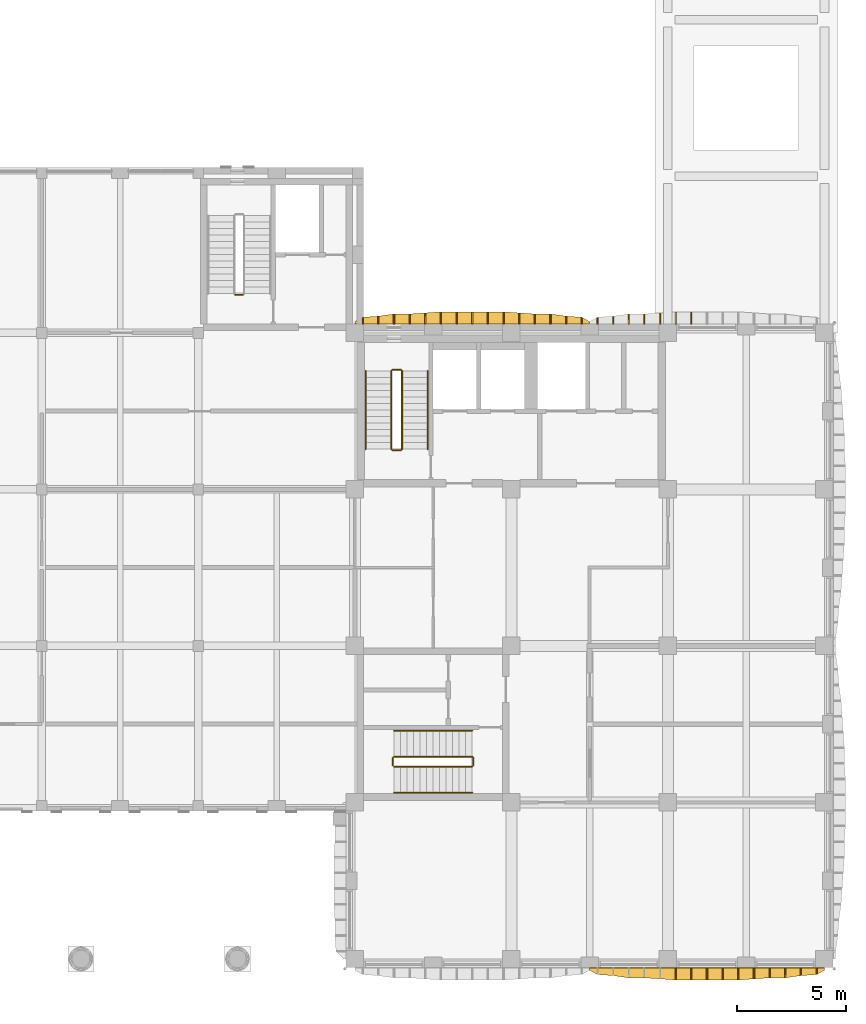
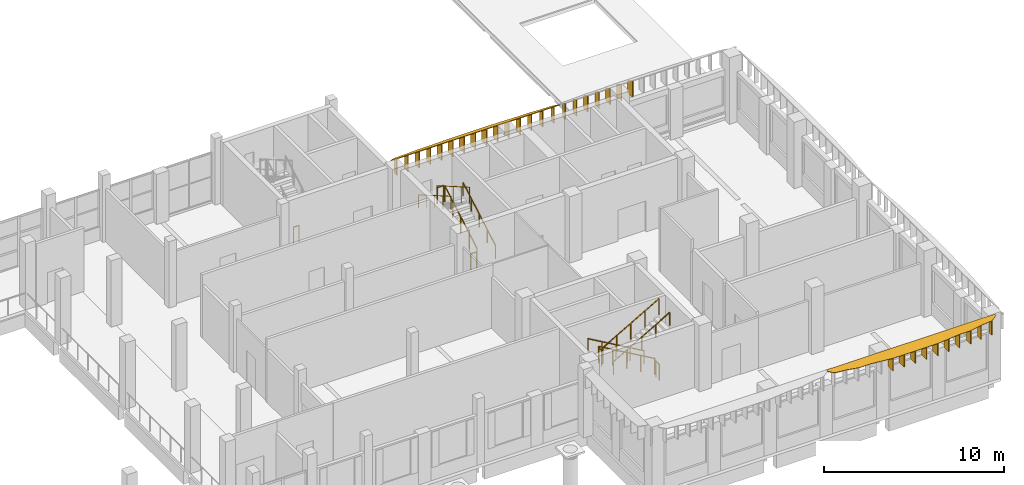
# One storey, part 40 of 59: 34 shading devices, 13 railings.
"""IFC4 building model written with IfcOpenShell, lengths in metres."""

from ifc_helpers import new_model, si_unit, direction, frame, origin, origin_2d, place, context, subcontext, project, spatial, polyline, circle, outline, extrude, material, layer, layer_set, type_object, element, save


model = new_model("IFC4")

# Units and contexts
model_context = context("Model", 3, precision=1e-05, world=origin(), true_north=direction((0.0, 1.0)))
body_context = subcontext(model_context, "Body", "Model", "MODEL_VIEW")
ifc_project = project(units=[si_unit("LENGTHUNIT", "METRE"), si_unit("AREAUNIT", "SQUARE_METRE"), si_unit("VOLUMEUNIT", "CUBIC_METRE"), si_unit("PLANEANGLEUNIT", "RADIAN"), si_unit("MASSUNIT", "GRAM", prefix="KILO")], contexts=[model_context])

# Site, building, storey
site_placement = place(None, origin())
site = spatial("IfcSite", under=ifc_project, at=site_placement, CompositionType="ELEMENT")
building_placement = place(site_placement, origin())
building = spatial("IfcBuilding", under=site, at=building_placement, Name="Ussher Court Research Institute", CompositionType="ELEMENT")
storey_placement = place(building_placement, frame((0.0, 0.0, 5.39990234375)))
storey = spatial("IfcBuildingStorey", under=building, at=storey_placement, Name="L01", CompositionType="ELEMENT", Elevation=5.39990234375)

# Shading devices
ifc_material_1 = material(Name="Bronze anodised aluminium", Category="aluminium")
ifc_layer_1 = layer(ifc_material_1, 0.050048828125)
ifc_layer_set_1 = layer_set([ifc_layer_1], Name="Bronze anodised aluminium")
shading_device_type_1 = type_object("IfcShadingDeviceType", Name="Brim blade 300 mm deep 1100 mm high canted 26 deg wet", PredefinedType="USERDEFINED", material=ifc_layer_set_1)
for number, where, z_axis, x_axis, name in (
    (1, (82.56005859375, 33.199951171875, 3.35009765625), (0.0, 0.0, 1.0), (0.0, 1.0, 0.0), "Brim blade BS06 L01"),
    (2, (92.639892578125, 33.199951171875, 3.35009765625), (0.0, 0.0, 1.0), (0.0, 1.0, 0.0), "Brim blade BS06 L01"),
    (3, (93.360107421875, 33.199951171875, 3.35009765625), (0.0, 0.0, 1.0), (0.0, 1.0, 0.0), "Brim blade BS06 L01"),
    (4, (103.43994140625, 3.60009765625, 3.35009765625), (0.0, 0.0, 1.0), (0.0, -1.0, 0.0), "Brim blade BS06 L01"),
):
    element("IfcShadingDevice", number, at=place(storey_placement, frame(where, z_axis=z_axis, x_axis=x_axis)), inside=storey, type_object=shading_device_type_1, Name=name, ObjectType="BLADE", PredefinedType="USERDEFINED", context=body_context, shape_type="SweptSolid", body=[
        extrude(outline(polyline([(0.0, 0.0), (0.300048828125, 0.0), (0.300048828125, 0.95361328125), (0.0, 1.10009765625), (0.0, 0.0)])), frame((0.0, 0.02490234375, 0.0), z_axis=(0.0, -1.0, 0.0), x_axis=(1.0, 0.0, 0.0)), (0.0, 0.0, 1.0), 0.050048828125),
    ])
ifc_material_2 = material(Name="Bronze anodised aluminium", Category="aluminium")
ifc_layer_2 = layer(ifc_material_2, 0.050048828125)
ifc_layer_set_2 = layer_set([ifc_layer_2], Name="Bronze anodised aluminium")
shading_device_type_2 = type_object("IfcShadingDeviceType", Name="Brim blade 350 mm deep 1100 mm high canted 26 deg wet", PredefinedType="USERDEFINED", material=ifc_layer_set_2)
for number, where, z_axis, x_axis, name in (
    (5, (83.280029296875, 33.199951171875, 3.35009765625), (0.0, 0.0, 1.0), (0.0, 1.0, 0.0), "Brim blade BS05 L01"),
    (6, (91.919921875, 33.199951171875, 3.35009765625), (0.0, 0.0, 1.0), (0.0, 1.0, 0.0), "Brim blade BS05 L01"),
    (7, (94.080078125, 33.199951171875, 3.35009765625), (0.0, 0.0, 1.0), (0.0, 1.0, 0.0), "Brim blade BS05 L01"),
    (8, (102.719970703125, 3.60009765625, 3.35009765625), (0.0, 0.0, 1.0), (0.0, -1.0, 0.0), "Brim blade BS05 L01"),
):
    element("IfcShadingDevice", number, at=place(storey_placement, frame(where, z_axis=z_axis, x_axis=x_axis)), inside=storey, type_object=shading_device_type_2, Name=name, ObjectType="BLADE", PredefinedType="USERDEFINED", context=body_context, shape_type="SweptSolid", body=[
        extrude(outline(polyline([(0.0, 0.0), (0.35009765625, 0.0), (0.35009765625, 0.92919921875), (0.0, 1.10009765625), (0.0, 0.0)])), frame((0.0, 0.02490234375, 0.0), z_axis=(0.0, -1.0, 0.0), x_axis=(1.0, 0.0, 0.0)), (0.0, 0.0, 1.0), 0.050048828125),
    ])
ifc_material_3 = material(Name="Bronze anodised aluminium", Category="aluminium")
ifc_layer_3 = layer(ifc_material_3, 0.050048828125)
ifc_layer_set_3 = layer_set([ifc_layer_3], Name="Bronze anodised aluminium")
shading_device_type_3 = type_object("IfcShadingDeviceType", Name="Brim blade 450 mm deep 1100 mm high canted 26 deg wet", PredefinedType="USERDEFINED", material=ifc_layer_set_3)
for number, where, z_axis, x_axis, name in (
    (9, (84.0, 33.199951171875, 3.35009765625), (0.0, 0.0, 1.0), (0.0, 1.0, 0.0), "Brim blade BS03 L01"),
    (10, (84.719970703125, 33.199951171875, 3.35009765625), (0.0, 0.0, 1.0), (0.0, 1.0, 0.0), "Brim blade BS03 L01"),
    (11, (90.47998046875, 33.199951171875, 3.35009765625), (0.0, 0.0, 1.0), (0.0, 1.0, 0.0), "Brim blade BS03 L01"),
    (12, (91.199951171875, 33.199951171875, 3.35009765625), (0.0, 0.0, 1.0), (0.0, 1.0, 0.0), "Brim blade BS03 L01"),
    (13, (94.800048828125, 33.199951171875, 3.35009765625), (0.0, 0.0, 1.0), (0.0, 1.0, 0.0), "Brim blade BS03 L01"),
    (14, (95.52001953125, 33.199951171875, 3.35009765625), (0.0, 0.0, 1.0), (0.0, 1.0, 0.0), "Brim blade BS03 L01"),
):
    element("IfcShadingDevice", number, at=place(storey_placement, frame(where, z_axis=z_axis, x_axis=x_axis)), inside=storey, type_object=shading_device_type_3, Name=name, ObjectType="BLADE", PredefinedType="USERDEFINED", context=body_context, shape_type="SweptSolid", body=[
        extrude(outline(polyline([(0.0, 0.0), (0.449951171875, 0.0), (0.449951171875, 0.880615234375), (0.0, 1.10009765625), (0.0, 0.0)])), frame((0.0, 0.02490234375, 0.0), z_axis=(0.0, -1.0, 0.0), x_axis=(1.0, 0.0, 0.0)), (0.0, 0.0, 1.0), 0.050048828125),
    ])
for number, where, z_axis, x_axis, name in (
    (15, (102.0, 3.60009765625, 3.35009765625), (0.0, 0.0, 1.0), (0.0, -1.0, 0.0), "Brim blade BS03 L01"),
    (16, (101.280029296875, 3.60009765625, 3.35009765625), (0.0, 0.0, 1.0), (0.0, -1.0, 0.0), "Brim blade BS03 L01"),
):
    element("IfcShadingDevice", number, at=place(storey_placement, frame(where, z_axis=z_axis, x_axis=x_axis)), inside=storey, type_object=shading_device_type_3, Name=name, ObjectType="BLADE", PredefinedType="USERDEFINED", context=body_context, shape_type="SweptSolid", body=[
        extrude(outline(polyline([(0.0, 0.0), (0.4501953125, 0.0), (0.449951171875, 0.880615234375), (0.0, 1.10009765625), (0.0, 0.0)])), frame((0.0, 0.02490234375, 0.0), z_axis=(0.0, -1.0, 0.0), x_axis=(1.0, 0.0, 0.0)), (0.0, 0.0, 1.0), 0.050048828125),
    ])
ifc_material_4 = material(Name="Bronze anodised aluminium", Category="aluminium")
ifc_layer_4 = layer(ifc_material_4, 0.050048828125)
ifc_layer_set_4 = layer_set([ifc_layer_4], Name="Bronze anodised aluminium")
shading_device_type_4 = type_object("IfcShadingDeviceType", Name="Brim blade 500 mm deep 1100 mm high canted 26 deg wet", PredefinedType="USERDEFINED", material=ifc_layer_set_4)
for number, where, z_axis, x_axis, name in (
    (17, (85.43994140625, 33.199951171875, 3.35009765625), (0.0, 0.0, 1.0), (0.0, 1.0, 0.0), "Brim blade BS02 L01"),
    (18, (89.760009765625, 33.199951171875, 3.35009765625), (0.0, 0.0, 1.0), (0.0, 1.0, 0.0), "Brim blade BS02 L01"),
    (19, (96.239990234375, 33.199951171875, 3.35009765625), (0.0, 0.0, 1.0), (0.0, 1.0, 0.0), "Brim blade BS02 L01"),
    (20, (100.56005859375, 3.60009765625, 3.35009765625), (0.0, 0.0, 1.0), (0.0, -1.0, 0.0), "Brim blade BS02 L01"),
):
    element("IfcShadingDevice", number, at=place(storey_placement, frame(where, z_axis=z_axis, x_axis=x_axis)), inside=storey, type_object=shading_device_type_4, Name=name, ObjectType="BLADE", PredefinedType="USERDEFINED", context=body_context, shape_type="SweptSolid", body=[
        extrude(outline(polyline([(0.0, 0.0), (0.5, 0.0), (0.5, 0.856201171875), (0.0, 1.10009765625), (0.0, 0.0)])), frame((0.0, 0.02490234375, 0.0), z_axis=(0.0, -1.0, 0.0), x_axis=(1.0, 0.0, 0.0)), (0.0, 0.0, 1.0), 0.050048828125),
    ])
ifc_material_5 = material(Name="Bronze anodised aluminium", Category="aluminium")
ifc_layer_5 = layer(ifc_material_5, 0.050048828125)
ifc_layer_set_5 = layer_set([ifc_layer_5], Name="Bronze anodised aluminium")
shading_device_type_5 = type_object("IfcShadingDeviceType", Name="Brim blade 550 mm deep 1100 mm high canted 26 deg wet", PredefinedType="USERDEFINED", material=ifc_layer_set_5)
for number, where, z_axis, x_axis, name in (
    (21, (86.159912109375, 33.199951171875, 3.35009765625), (0.0, 0.0, 1.0), (0.0, 1.0, 0.0), "Brim blade BS01 L01"),
    (22, (86.8798828125, 33.199951171875, 3.35009765625), (0.0, 0.0, 1.0), (0.0, 1.0, 0.0), "Brim blade BS01 L01"),
    (23, (87.60009765625, 33.199951171875, 3.35009765625), (0.0, 0.0, 1.0), (0.0, 1.0, 0.0), "Brim blade BS01 L01"),
    (24, (88.320068359375, 33.199951171875, 3.35009765625), (0.0, 0.0, 1.0), (0.0, 1.0, 0.0), "Brim blade BS01 L01"),
    (25, (89.0400390625, 33.199951171875, 3.35009765625), (0.0, 0.0, 1.0), (0.0, 1.0, 0.0), "Brim blade BS01 L01"),
    (26, (96.9599609375, 33.199951171875, 3.35009765625), (0.0, 0.0, 1.0), (0.0, 1.0, 0.0), "Brim blade BS01 L01"),
    (27, (97.679931640625, 33.199951171875, 3.35009765625), (0.0, 0.0, 1.0), (0.0, 1.0, 0.0), "Brim blade BS01 L01"),
    (28, (99.840087890625, 3.60009765625, 3.35009765625), (0.0, 0.0, 1.0), (0.0, -1.0, 0.0), "Brim blade BS01 L01"),
    (29, (99.1201171875, 3.60009765625, 3.35009765625), (0.0, 0.0, 1.0), (0.0, -1.0, 0.0), "Brim blade BS01 L01"),
    (30, (98.39990234375, 3.60009765625, 3.35009765625), (0.0, 0.0, 1.0), (0.0, -1.0, 0.0), "Brim blade BS01 L01"),
    (31, (97.679931640625, 3.60009765625, 3.35009765625), (0.0, 0.0, 1.0), (0.0, -1.0, 0.0), "Brim blade BS01 L01"),
    (32, (96.9599609375, 3.60009765625, 3.35009765625), (0.0, 0.0, 1.0), (0.0, -1.0, 0.0), "Brim blade BS01 L01"),
):
    element("IfcShadingDevice", number, at=place(storey_placement, frame(where, z_axis=z_axis, x_axis=x_axis)), inside=storey, type_object=shading_device_type_5, Name=name, ObjectType="BLADE", PredefinedType="USERDEFINED", context=body_context, shape_type="SweptSolid", body=[
        extrude(outline(polyline([(0.0, 0.0), (0.550048828125, 0.0), (0.550048828125, 0.831787109375), (0.0, 1.10009765625), (0.0, 0.0)])), frame((0.0, 0.02490234375, 0.0), z_axis=(0.0, -1.0, 0.0), x_axis=(1.0, 0.0, 0.0)), (0.0, 0.0, 1.0), 0.050048828125),
    ])
ifc_material_6 = material(Name="Bronze anodised aluminium", Category="aluminium")
ifc_layer_6 = layer(ifc_material_6, 0.0400390625)
ifc_layer_set_6 = layer_set([ifc_layer_6], Name="Bronze anodised aluminium")
shading_device_type_6 = type_object("IfcShadingDeviceType", Name="Brim visor sheet 40 mm canted 26 deg wet", PredefinedType="USERDEFINED", material=ifc_layer_set_6)
shading_device_1_placement = place(storey_placement, frame((82.199951171875, 33.217529296875, 4.486083984375), z_axis=(0.0, 0.438493442835, 0.898734388232), x_axis=(1.0, 0.0, 0.0)))
element("IfcShadingDevice", 33, at=shading_device_1_placement, inside=storey, type_object=shading_device_type_6, Name="Brim visor sheet BR1 L01", ObjectType="BRIM", PredefinedType="USERDEFINED", context=body_context, shape_type="SweptSolid", body=[
    extrude(outline(polyline([(0.0, 0.0), (10.800048828125, 0.0), (10.800048828125, 0.11115260091647443), (10.43994140625, 0.3338966378999272), (9.719970703125, 0.3893632295705384), (9.0, 0.5006281939990725), (8.280029296875, 0.5006281939990725), (7.56005859375, 0.5563142032449357), (6.840087890625, 0.612000212490799), (6.1201171875, 0.612000212490799), (5.400146484375, 0.612000212490799), (4.679931640625, 0.612000212490799), (3.9599609375, 0.612000212490799), (3.239990234375, 0.5563142032449357), (2.52001953125, 0.5006281939990725), (1.800048828125, 0.5006281939990725), (1.080078125, 0.3893632295705384), (0.360107421875, 0.3338966378999272), (0.0, 0.11115260091647443), (0.0, 0.0)])), origin(), (0.0, 0.0, -1.0), 0.0400390625),
])
shading_device_2_placement = place(storey_placement, frame((103.800048828125, 3.58251953125, 4.486083984375), z_axis=(0.0, -0.438461416816, 0.898750013054), x_axis=(-1.0, 0.0, 0.0)))
element("IfcShadingDevice", 34, at=shading_device_2_placement, inside=storey, type_object=shading_device_type_6, Name="Brim visor sheet BR1 L01", ObjectType="BRIM", PredefinedType="USERDEFINED", context=body_context, shape_type="SweptSolid", body=[
    extrude(outline(polyline([(0.0, 0.0), (10.800048828125, 0.0), (10.800048828125, 0.1113720187292832), (10.43994140625, 0.33389663479794396), (9.719970703125, 0.38958264416258553), (9.0, 0.5006281952576233), (8.280029296875, 0.5006281952576233), (7.56005859375, 0.5563142046222649), (6.840087890625, 0.6120002139869065), (6.1201171875, 0.6120002139869065), (5.400146484375, 0.6120002139869065), (4.679931640625, 0.6120002139869065), (3.9599609375, 0.6120002139869065), (3.239990234375, 0.5563142046222649), (2.52001953125, 0.5006281952576233), (1.800048828125, 0.5006281952576233), (1.080078125, 0.38958264416258553), (0.360107421875, 0.33389663479794396), (0.0, 0.1113720187292832), (0.0, 0.0)])), origin(), (0.0, 0.0, -1.0), 0.0400390625),
])

# Railings
ifc_material_7 = material(Name="Painted steel balustrade", Category="steel")
railing_type_1 = type_object("IfcRailingType", Name="Stair guard 1100 steel balustrade", PredefinedType="GUARDRAIL", material=ifc_material_7)
railing_1_placement = place(storey_placement, frame((77.050048828125, 34.550048828125, 0.0)))
element("IfcRailing", 35, at=railing_1_placement, inside=storey, type_object=railing_type_1, Name="L01 E1 stair guard 4", PredefinedType="GUARDRAIL", context=body_context, shape_type="SweptSolid", body=[
    extrude(circle(Radius=0.02392578125, at=origin_2d()), frame((0.0, 0.0, 1.076171875), z_axis=(-1.0, 0.0, 0.0), x_axis=(0.0, -1.0, 0.0)), (0.0, 0.0, 1.0), 0.35009765625),
    extrude(circle(Radius=0.02099609375, at=origin_2d()), origin(), (0.0, 0.0, 1.0), 1.052001953125),
    extrude(circle(Radius=0.02099609375, at=origin_2d()), frame((-0.35009765625, 0.0, 0.0)), (0.0, 0.0, 1.0), 1.052001953125),
])
railing_2_placement = place(storey_placement, frame((84.3701171875, 27.449951171875, 0.173095703125)))
element("IfcRailing", 36, at=railing_2_placement, inside=storey, type_object=railing_type_1, Name="L01 T1 stair guard 1", PredefinedType="GUARDRAIL", context=body_context, shape_type="SweptSolid", body=[
    extrude(circle(Radius=0.02392578125, at=origin_2d()), frame((0.0, 0.0, 1.076171875), z_axis=(0.0, 0.866193409371, 0.499708892819), x_axis=(-1.0, 0.0, 0.0)), (0.0, 0.0, 1.0), 4.15625),
    extrude(circle(Radius=0.02099609375, at=origin_2d()), origin(), (0.0, 0.0, 1.0), 1.052001953125),
    extrude(circle(Radius=0.02099609375, at=origin_2d()), frame((0.0, 0.89990234375, 0.519287109375)), (0.0, 0.0, 1.0), 1.052001953125),
    extrude(circle(Radius=0.02099609375, at=origin_2d()), frame((0.0, 1.800048828125, 1.03857421875)), (0.0, 0.0, 1.0), 1.052001953125),
    extrude(circle(Radius=0.02099609375, at=origin_2d()), frame((0.0, 2.7001953125, 1.5576171875)), (0.0, 0.0, 1.0), 1.052001953125),
    extrude(circle(Radius=0.02099609375, at=origin_2d()), frame((0.0, 3.60009765625, 2.076904296875)), (0.0, 0.0, 1.0), 1.052001953125),
])
railing_3_placement = place(storey_placement, frame((84.320068359375, 31.10009765625, 2.25)))
element("IfcRailing", 37, at=railing_3_placement, inside=storey, type_object=railing_type_1, Name="L01 T1 stair guard 2", PredefinedType="GUARDRAIL", context=body_context, shape_type="SweptSolid", body=[
    extrude(circle(Radius=0.02392578125, at=origin_2d()), frame((0.0, 0.0, 1.076171875), z_axis=(-1.0, 0.0, 0.0), x_axis=(0.0, -1.0, 0.0)), (0.0, 0.0, 1.0), 0.39013671875),
    extrude(circle(Radius=0.02099609375, at=origin_2d()), origin(), (0.0, 0.0, 1.0), 1.052001953125),
    extrude(circle(Radius=0.02099609375, at=origin_2d()), frame((-0.39013671875, 0.0, 0.0)), (0.0, 0.0, 1.0), 1.052001953125),
])
railing_4_placement = place(storey_placement, frame((83.8798828125, 31.050048828125, 2.423095703125)))
element("IfcRailing", 38, at=railing_4_placement, inside=storey, type_object=railing_type_1, Name="L01 T1 stair guard 3", PredefinedType="GUARDRAIL", context=body_context, shape_type="SweptSolid", body=[
    extrude(circle(Radius=0.02392578125, at=origin_2d()), frame((0.0, 0.0, 1.076171875), z_axis=(0.0, -0.866193409371, 0.499708892819), x_axis=(1.0, 0.0, 0.0)), (0.0, 0.0, 1.0), 4.15625),
    extrude(circle(Radius=0.02099609375, at=origin_2d()), origin(), (0.0, 0.0, 1.0), 1.052001953125),
    extrude(circle(Radius=0.02099609375, at=origin_2d()), frame((0.0, -0.89990234375, 0.519287109375)), (0.0, 0.0, 1.0), 1.052001953125),
    extrude(circle(Radius=0.02099609375, at=origin_2d()), frame((0.0, -1.800048828125, 1.03857421875)), (0.0, 0.0, 1.0), 1.052001953125),
    extrude(circle(Radius=0.02099609375, at=origin_2d()), frame((0.0, -2.7001953125, 1.5576171875)), (0.0, 0.0, 1.0), 1.052001953125),
    extrude(circle(Radius=0.02099609375, at=origin_2d()), frame((0.0, -3.60009765625, 2.076904296875)), (0.0, 0.0, 1.0), 1.052001953125),
])
railing_5_placement = place(storey_placement, frame((84.320068359375, 27.39990234375, 0.0)))
element("IfcRailing", 39, at=railing_5_placement, inside=storey, type_object=railing_type_1, Name="L01 T1 stair guard 4", PredefinedType="GUARDRAIL", context=body_context, shape_type="SweptSolid", body=[
    extrude(circle(Radius=0.02392578125, at=origin_2d()), frame((0.0, 0.0, 1.076171875), z_axis=(-1.0, 0.0, 0.0), x_axis=(0.0, -1.0, 0.0)), (0.0, 0.0, 1.0), 0.39013671875),
    extrude(circle(Radius=0.02099609375, at=origin_2d()), origin(), (0.0, 0.0, 1.0), 1.052001953125),
    extrude(circle(Radius=0.02099609375, at=origin_2d()), frame((-0.39013671875, 0.0, 0.0)), (0.0, 0.0, 1.0), 1.052001953125),
])
railing_6_placement = place(storey_placement, frame((87.60009765625, 13.300048828125, 0.173095703125)))
element("IfcRailing", 40, at=railing_6_placement, inside=storey, type_object=railing_type_1, Name="L01 T2 stair guard 1", PredefinedType="GUARDRAIL", context=body_context, shape_type="SweptSolid", body=[
    extrude(circle(Radius=0.02392578125, at=origin_2d()), frame((0.0, 0.0, 1.076171875), z_axis=(-0.866193409371, 0.0, 0.499708892819), x_axis=(0.0, -1.0, 0.0)), (0.0, 0.0, 1.0), 4.15625),
    extrude(circle(Radius=0.02099609375, at=origin_2d()), origin(), (0.0, 0.0, 1.0), 1.052001953125),
    extrude(circle(Radius=0.02099609375, at=origin_2d()), frame((-0.89990234375, 0.0, 0.519287109375)), (0.0, 0.0, 1.0), 1.052001953125),
    extrude(circle(Radius=0.02099609375, at=origin_2d()), frame((-1.800048828125, 0.0, 1.03857421875)), (0.0, 0.0, 1.0), 1.052001953125),
    extrude(circle(Radius=0.02099609375, at=origin_2d()), frame((-2.7001953125, 0.0, 1.5576171875)), (0.0, 0.0, 1.0), 1.052001953125),
    extrude(circle(Radius=0.02099609375, at=origin_2d()), frame((-3.60009765625, 0.0, 2.076904296875)), (0.0, 0.0, 1.0), 1.052001953125),
])
railing_7_placement = place(storey_placement, frame((83.949951171875, 13.25, 2.25)))
element("IfcRailing", 41, at=railing_7_placement, inside=storey, type_object=railing_type_1, Name="L01 T2 stair guard 2", PredefinedType="GUARDRAIL", context=body_context, shape_type="SweptSolid", body=[
    extrude(circle(Radius=0.02392578125, at=origin_2d()), frame((0.0, 0.0, 1.076171875), z_axis=(0.0, -1.0, 0.0), x_axis=(1.0, 0.0, 0.0)), (0.0, 0.0, 1.0), 0.35009765625),
    extrude(circle(Radius=0.02099609375, at=origin_2d()), origin(), (0.0, 0.0, 1.0), 1.052001953125),
    extrude(circle(Radius=0.02099609375, at=origin_2d()), frame((0.0, -0.35009765625, 0.0)), (0.0, 0.0, 1.0), 1.052001953125),
])
railing_8_placement = place(storey_placement, frame((84.0, 12.85009765625, 2.423095703125)))
element("IfcRailing", 42, at=railing_8_placement, inside=storey, type_object=railing_type_1, Name="L01 T2 stair guard 3", PredefinedType="GUARDRAIL", context=body_context, shape_type="SweptSolid", body=[
    extrude(circle(Radius=0.02392578125, at=origin_2d()), frame((0.0, 0.0, 1.076171875), z_axis=(0.866193409371, 0.0, 0.499708892819), x_axis=(0.0, 1.0, 0.0)), (0.0, 0.0, 1.0), 4.15625),
    extrude(circle(Radius=0.02099609375, at=origin_2d()), origin(), (0.0, 0.0, 1.0), 1.052001953125),
    extrude(circle(Radius=0.02099609375, at=origin_2d()), frame((0.89990234375, 0.0, 0.519287109375)), (0.0, 0.0, 1.0), 1.052001953125),
    extrude(circle(Radius=0.02099609375, at=origin_2d()), frame((1.800048828125, 0.0, 1.03857421875)), (0.0, 0.0, 1.0), 1.052001953125),
    extrude(circle(Radius=0.02099609375, at=origin_2d()), frame((2.7001953125, 0.0, 1.5576171875)), (0.0, 0.0, 1.0), 1.052001953125),
    extrude(circle(Radius=0.02099609375, at=origin_2d()), frame((3.60009765625, 0.0, 2.076904296875)), (0.0, 0.0, 1.0), 1.052001953125),
])
railing_9_placement = place(storey_placement, frame((87.64990234375, 13.25, 0.0)))
element("IfcRailing", 43, at=railing_9_placement, inside=storey, type_object=railing_type_1, Name="L01 T2 stair guard 4", PredefinedType="GUARDRAIL", context=body_context, shape_type="SweptSolid", body=[
    extrude(circle(Radius=0.02392578125, at=origin_2d()), frame((0.0, 0.0, 1.076171875), z_axis=(0.0, -1.0, 0.0), x_axis=(1.0, 0.0, 0.0)), (0.0, 0.0, 1.0), 0.35009765625),
    extrude(circle(Radius=0.02099609375, at=origin_2d()), origin(), (0.0, 0.0, 1.0), 1.052001953125),
    extrude(circle(Radius=0.02099609375, at=origin_2d()), frame((0.0, -0.35009765625, 0.0)), (0.0, 0.0, 1.0), 1.052001953125),
])
ifc_material_8 = material(Name="Painted steel handrail", Category="steel")
railing_type_2 = type_object("IfcRailingType", Name="Stair handrail 900 steel", PredefinedType="HANDRAIL", material=ifc_material_8)
railing_10_placement = place(storey_placement, frame((85.550048828125, 27.449951171875, 0.173095703125)))
element("IfcRailing", 44, at=railing_10_placement, inside=storey, type_object=railing_type_2, Name="L01 T1 stair handrail 1", PredefinedType="HANDRAIL", context=body_context, shape_type="SweptSolid", body=[
    extrude(circle(Radius=0.02392578125, at=origin_2d()), frame((0.0, 0.0, 0.8759765625), z_axis=(0.0, 0.866193409371, 0.499708892819), x_axis=(-1.0, 0.0, 0.0)), (0.0, 0.0, 1.0), 4.15625),
    extrude(circle(Radius=0.02099609375, at=origin_2d()), origin(), (0.0, 0.0, 1.0), 0.851806640625),
    extrude(circle(Radius=0.02099609375, at=origin_2d()), frame((0.0, 0.89990234375, 0.519287109375)), (0.0, 0.0, 1.0), 0.851806640625),
    extrude(circle(Radius=0.02099609375, at=origin_2d()), frame((0.0, 1.800048828125, 1.03857421875)), (0.0, 0.0, 1.0), 0.851806640625),
    extrude(circle(Radius=0.02099609375, at=origin_2d()), frame((0.0, 2.7001953125, 1.5576171875)), (0.0, 0.0, 1.0), 0.851806640625),
    extrude(circle(Radius=0.02099609375, at=origin_2d()), frame((0.0, 3.60009765625, 2.076904296875)), (0.0, 0.0, 1.0), 0.851806640625),
])
railing_11_placement = place(storey_placement, frame((82.699951171875, 31.050048828125, 2.423095703125)))
element("IfcRailing", 45, at=railing_11_placement, inside=storey, type_object=railing_type_2, Name="L01 T1 stair handrail 2", PredefinedType="HANDRAIL", context=body_context, shape_type="SweptSolid", body=[
    extrude(circle(Radius=0.02392578125, at=origin_2d()), frame((0.0, 0.0, 0.8759765625), z_axis=(0.0, -0.866193409371, 0.499708892819), x_axis=(1.0, 0.0, 0.0)), (0.0, 0.0, 1.0), 4.15625),
    extrude(circle(Radius=0.02099609375, at=origin_2d()), origin(), (0.0, 0.0, 1.0), 0.851806640625),
    extrude(circle(Radius=0.02099609375, at=origin_2d()), frame((0.0, -0.89990234375, 0.519287109375)), (0.0, 0.0, 1.0), 0.851806640625),
    extrude(circle(Radius=0.02099609375, at=origin_2d()), frame((0.0, -1.800048828125, 1.03857421875)), (0.0, 0.0, 1.0), 0.851806640625),
    extrude(circle(Radius=0.02099609375, at=origin_2d()), frame((0.0, -2.7001953125, 1.5576171875)), (0.0, 0.0, 1.0), 0.851806640625),
    extrude(circle(Radius=0.02099609375, at=origin_2d()), frame((0.0, -3.60009765625, 2.076904296875)), (0.0, 0.0, 1.0), 0.851806640625),
])
railing_12_placement = place(storey_placement, frame((87.60009765625, 14.5, 0.173095703125)))
element("IfcRailing", 46, at=railing_12_placement, inside=storey, type_object=railing_type_2, Name="L01 T2 stair handrail 1", PredefinedType="HANDRAIL", context=body_context, shape_type="SweptSolid", body=[
    extrude(circle(Radius=0.02392578125, at=origin_2d()), frame((0.0, 0.0, 0.8759765625), z_axis=(-0.866193409371, 0.0, 0.499708892819), x_axis=(0.0, -1.0, 0.0)), (0.0, 0.0, 1.0), 4.15625),
    extrude(circle(Radius=0.02099609375, at=origin_2d()), origin(), (0.0, 0.0, 1.0), 0.851806640625),
    extrude(circle(Radius=0.02099609375, at=origin_2d()), frame((-0.89990234375, 0.0, 0.519287109375)), (0.0, 0.0, 1.0), 0.851806640625),
    extrude(circle(Radius=0.02099609375, at=origin_2d()), frame((-1.800048828125, 0.0, 1.03857421875)), (0.0, 0.0, 1.0), 0.851806640625),
    extrude(circle(Radius=0.02099609375, at=origin_2d()), frame((-2.7001953125, 0.0, 1.5576171875)), (0.0, 0.0, 1.0), 0.851806640625),
    extrude(circle(Radius=0.02099609375, at=origin_2d()), frame((-3.60009765625, 0.0, 2.076904296875)), (0.0, 0.0, 1.0), 0.851806640625),
])
railing_13_placement = place(storey_placement, frame((84.0, 11.64990234375, 2.423095703125)))
element("IfcRailing", 47, at=railing_13_placement, inside=storey, type_object=railing_type_2, Name="L01 T2 stair handrail 2", PredefinedType="HANDRAIL", context=body_context, shape_type="SweptSolid", body=[
    extrude(circle(Radius=0.02392578125, at=origin_2d()), frame((0.0, 0.0, 0.8759765625), z_axis=(0.866193409371, 0.0, 0.499708892819), x_axis=(0.0, 1.0, 0.0)), (0.0, 0.0, 1.0), 4.15625),
    extrude(circle(Radius=0.02099609375, at=origin_2d()), origin(), (0.0, 0.0, 1.0), 0.851806640625),
    extrude(circle(Radius=0.02099609375, at=origin_2d()), frame((0.89990234375, 0.0, 0.519287109375)), (0.0, 0.0, 1.0), 0.851806640625),
    extrude(circle(Radius=0.02099609375, at=origin_2d()), frame((1.800048828125, 0.0, 1.03857421875)), (0.0, 0.0, 1.0), 0.851806640625),
    extrude(circle(Radius=0.02099609375, at=origin_2d()), frame((2.7001953125, 0.0, 1.5576171875)), (0.0, 0.0, 1.0), 0.851806640625),
    extrude(circle(Radius=0.02099609375, at=origin_2d()), frame((3.60009765625, 0.0, 2.076904296875)), (0.0, 0.0, 1.0), 0.851806640625),
])

save(model, "model.ifc")
